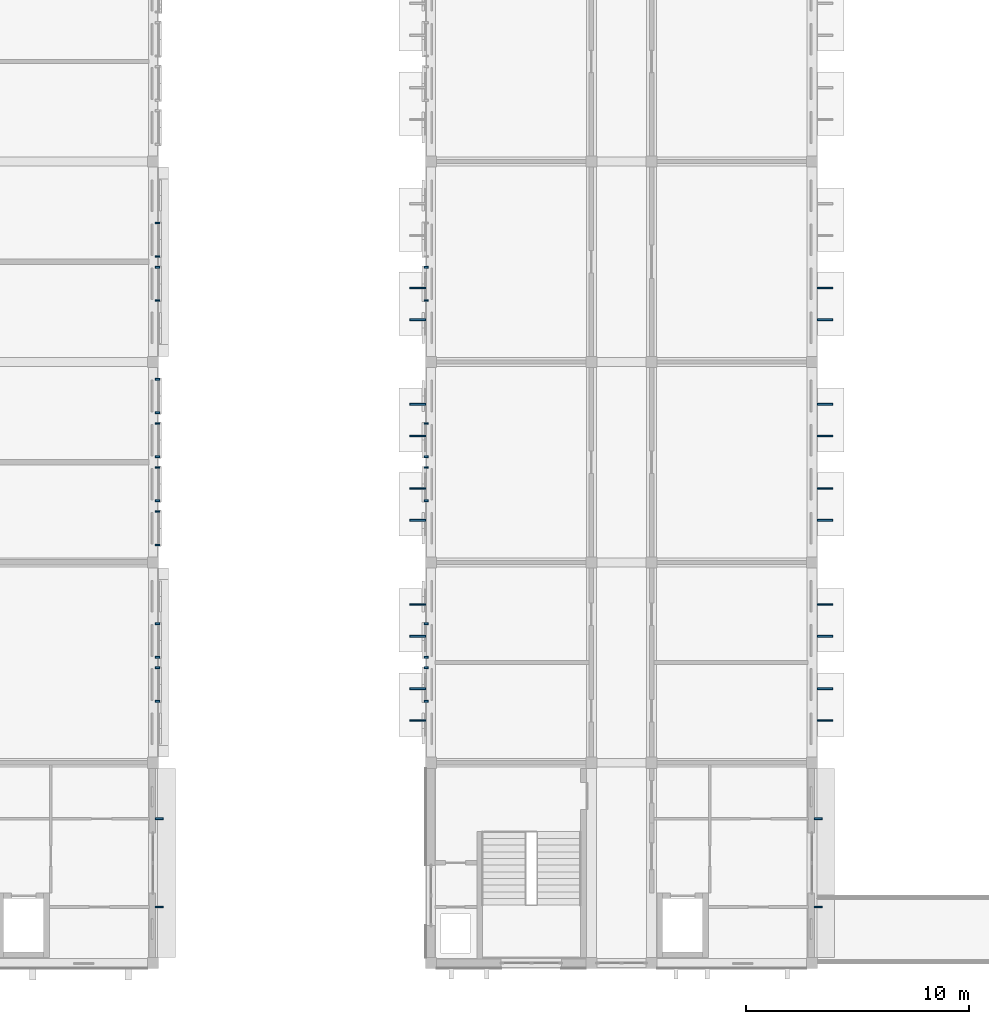
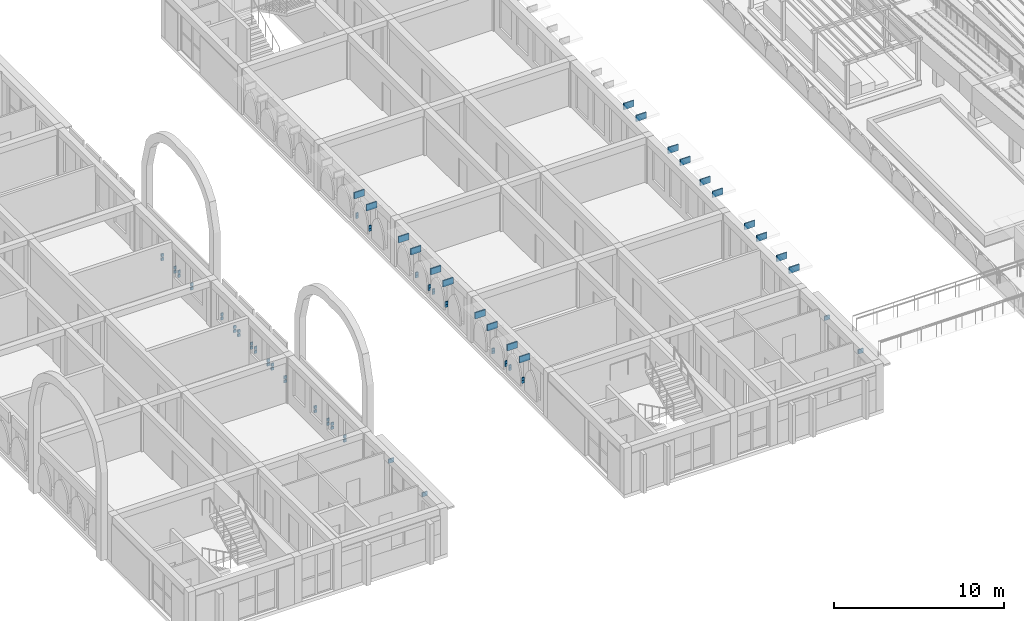
# One storey, part 50 of 65: 76 discrete accessories.
"""IFC4 building model written with IfcOpenShell, lengths in metres."""

from ifc_helpers import new_model, si_unit, direction, frame, origin, origin_2d, place, context, subcontext, project, spatial, rectangle, extrude, material, type_object, element, save


model = new_model("IFC4")

# Units and contexts
model_context = context("Model", 3, precision=1e-05, world=origin(), true_north=direction((0.0, 1.0)))
body_context = subcontext(model_context, "Body", "Model", "MODEL_VIEW")
ifc_project = project(units=[si_unit("LENGTHUNIT", "METRE"), si_unit("AREAUNIT", "SQUARE_METRE"), si_unit("VOLUMEUNIT", "CUBIC_METRE"), si_unit("PLANEANGLEUNIT", "RADIAN"), si_unit("MASSUNIT", "GRAM", prefix="KILO")], contexts=[model_context])

# Site, building, storey
site_placement = place(None, origin())
site = spatial("IfcSite", under=ifc_project, at=site_placement, CompositionType="ELEMENT")
building_placement = place(site_placement, origin())
building = spatial("IfcBuilding", under=site, at=building_placement, Name="Elbe Cascade School", CompositionType="ELEMENT")
storey_placement = place(building_placement, frame((0.0, 0.0, 11.699951171875)))
storey = spatial("IfcBuildingStorey", under=building, at=storey_placement, Name="L03", CompositionType="ELEMENT", Elevation=11.699951171875)

# Discrete accessories
ifc_material = material(Name="Steel S355J2, hot-dip galvanised", Category="steel")
discrete_accessory_type = type_object("IfcDiscreteAccessoryType", Name="Bars envelope Bracket, galvanised steel", PredefinedType="BRACKET", material=ifc_material)
for number, where, z_axis, x_axis, name in (
    (1, (86.39501953125, 8.52001953125, 2.43017578125), (0.0, 0.0, 1.0), (0.0, 1.0, 0.0), "Bracket AC7 eave.e.1.br1"),
    (2, (86.39501953125, 12.47998046875, 2.43017578125), (0.0, 0.0, 1.0), (0.0, 1.0, 0.0), "Bracket AC7 eave.e.1.br2"),
):
    element("IfcDiscreteAccessory", number, at=place(storey_placement, frame(where, z_axis=z_axis, x_axis=x_axis)), inside=storey, type_object=discrete_accessory_type, Name=name, PredefinedType="BRACKET", context=body_context, shape_type="SweptSolid", body=[
        extrude(rectangle(XDim=0.080078125, YDim=0.35009765625, at=origin_2d()), origin(), (0.0, 0.0, 1.0), 0.300048828125),
    ])
for number, where, z_axis, x_axis, name in (
    (3, (86.31005859375, 17.760009765625, 0.75), (0.0, 0.0, 1.0), (0.0, 1.0, 0.0), "Bracket AC7 jali.e.2.br2ll"),
    (4, (86.31005859375, 17.760009765625, 1.0400390625), (0.0, 0.0, 1.0), (0.0, 1.0, 0.0), "Bracket AC7 jali.e.2.br2lu"),
    (5, (86.31005859375, 19.260009765625, 0.75), (0.0, 0.0, 1.0), (0.0, 1.0, 0.0), "Bracket AC7 jali.e.2.br2rl"),
    (6, (86.31005859375, 19.260009765625, 1.0400390625), (0.0, 0.0, 1.0), (0.0, 1.0, 0.0), "Bracket AC7 jali.e.2.br2ru"),
    (7, (86.31005859375, 19.739990234375, 0.75), (0.0, 0.0, 1.0), (0.0, 1.0, 0.0), "Bracket AC7 jali.e.2.br3ll"),
    (8, (86.31005859375, 19.739990234375, 1.0400390625), (0.0, 0.0, 1.0), (0.0, 1.0, 0.0), "Bracket AC7 jali.e.2.br3lu"),
    (9, (86.31005859375, 21.239990234375, 0.75), (0.0, 0.0, 1.0), (0.0, 1.0, 0.0), "Bracket AC7 jali.e.2.br3rl"),
    (10, (86.31005859375, 21.239990234375, 1.0400390625), (0.0, 0.0, 1.0), (0.0, 1.0, 0.0), "Bracket AC7 jali.e.2.br3ru"),
    (11, (86.31005859375, 24.780029296875, 0.75), (0.0, 0.0, 1.0), (0.0, 1.0, 0.0), "Bracket AC7 jali.e.3.br1ll"),
    (12, (86.31005859375, 24.780029296875, 1.0400390625), (0.0, 0.0, 1.0), (0.0, 1.0, 0.0), "Bracket AC7 jali.e.3.br1lu"),
    (13, (86.31005859375, 26.280029296875, 0.75), (0.0, 0.0, 1.0), (0.0, 1.0, 0.0), "Bracket AC7 jali.e.3.br1rl"),
    (14, (86.31005859375, 26.280029296875, 1.0400390625), (0.0, 0.0, 1.0), (0.0, 1.0, 0.0), "Bracket AC7 jali.e.3.br1ru"),
    (15, (86.31005859375, 26.760009765625, 0.75), (0.0, 0.0, 1.0), (0.0, 1.0, 0.0), "Bracket AC7 jali.e.3.br2ll"),
    (16, (86.31005859375, 26.760009765625, 1.0400390625), (0.0, 0.0, 1.0), (0.0, 1.0, 0.0), "Bracket AC7 jali.e.3.br2lu"),
    (17, (86.31005859375, 28.260009765625, 0.75), (0.0, 0.0, 1.0), (0.0, 1.0, 0.0), "Bracket AC7 jali.e.3.br2rl"),
    (18, (86.31005859375, 28.260009765625, 1.0400390625), (0.0, 0.0, 1.0), (0.0, 1.0, 0.0), "Bracket AC7 jali.e.3.br2ru"),
    (19, (86.31005859375, 28.739990234375, 0.75), (0.0, 0.0, 1.0), (0.0, 1.0, 0.0), "Bracket AC7 jali.e.3.br3ll"),
    (20, (86.31005859375, 28.739990234375, 1.0400390625), (0.0, 0.0, 1.0), (0.0, 1.0, 0.0), "Bracket AC7 jali.e.3.br3lu"),
    (21, (86.31005859375, 30.239990234375, 0.75), (0.0, 0.0, 1.0), (0.0, 1.0, 0.0), "Bracket AC7 jali.e.3.br3rl"),
    (22, (86.31005859375, 30.239990234375, 1.0400390625), (0.0, 0.0, 1.0), (0.0, 1.0, 0.0), "Bracket AC7 jali.e.3.br3ru"),
    (23, (86.31005859375, 30.719970703125, 0.75), (0.0, 0.0, 1.0), (0.0, 1.0, 0.0), "Bracket AC7 jali.e.3.br4ll"),
    (24, (86.31005859375, 30.719970703125, 1.0400390625), (0.0, 0.0, 1.0), (0.0, 1.0, 0.0), "Bracket AC7 jali.e.3.br4lu"),
    (25, (86.31005859375, 32.219970703125, 0.75), (0.0, 0.0, 1.0), (0.0, 1.0, 0.0), "Bracket AC7 jali.e.3.br4rl"),
    (26, (86.31005859375, 32.219970703125, 1.0400390625), (0.0, 0.0, 1.0), (0.0, 1.0, 0.0), "Bracket AC7 jali.e.3.br4ru"),
    (27, (86.31005859375, 35.760009765625, 0.75), (0.0, 0.0, 1.0), (0.0, 1.0, 0.0), "Bracket AC7 jali.e.4.br2ll"),
    (28, (86.31005859375, 35.760009765625, 1.0400390625), (0.0, 0.0, 1.0), (0.0, 1.0, 0.0), "Bracket AC7 jali.e.4.br2lu"),
    (29, (86.31005859375, 37.260009765625, 0.75), (0.0, 0.0, 1.0), (0.0, 1.0, 0.0), "Bracket AC7 jali.e.4.br2rl"),
    (30, (86.31005859375, 37.260009765625, 1.0400390625), (0.0, 0.0, 1.0), (0.0, 1.0, 0.0), "Bracket AC7 jali.e.4.br2ru"),
    (31, (86.31005859375, 37.739990234375, 0.75), (0.0, 0.0, 1.0), (0.0, 1.0, 0.0), "Bracket AC7 jali.e.4.br3ll"),
    (32, (86.31005859375, 37.739990234375, 1.0400390625), (0.0, 0.0, 1.0), (0.0, 1.0, 0.0), "Bracket AC7 jali.e.4.br3lu"),
    (33, (86.31005859375, 39.239990234375, 0.75), (0.0, 0.0, 1.0), (0.0, 1.0, 0.0), "Bracket AC7 jali.e.4.br3rl"),
    (34, (86.31005859375, 39.239990234375, 1.0400390625), (0.0, 0.0, 1.0), (0.0, 1.0, 0.0), "Bracket AC7 jali.e.4.br3ru"),
    (35, (98.389892578125, 17.760009765625, 0.75), (0.0, 0.0, 1.0), (0.0, 1.0, 0.0), "Bracket AC7 jali.w.2.br2ll"),
    (36, (98.389892578125, 17.760009765625, 0.93994140625), (0.0, 0.0, 1.0), (0.0, 1.0, 0.0), "Bracket AC7 jali.w.2.br2lu"),
    (37, (98.389892578125, 19.260009765625, 0.75), (0.0, 0.0, 1.0), (0.0, 1.0, 0.0), "Bracket AC7 jali.w.2.br2rl"),
    (38, (98.389892578125, 19.260009765625, 0.93994140625), (0.0, 0.0, 1.0), (0.0, 1.0, 0.0), "Bracket AC7 jali.w.2.br2ru"),
    (39, (98.389892578125, 19.739990234375, 0.75), (0.0, 0.0, 1.0), (0.0, 1.0, 0.0), "Bracket AC7 jali.w.2.br3ll"),
    (40, (98.389892578125, 19.739990234375, 0.93994140625), (0.0, 0.0, 1.0), (0.0, 1.0, 0.0), "Bracket AC7 jali.w.2.br3lu"),
    (41, (98.389892578125, 21.239990234375, 0.75), (0.0, 0.0, 1.0), (0.0, 1.0, 0.0), "Bracket AC7 jali.w.2.br3rl"),
    (42, (98.389892578125, 21.239990234375, 0.93994140625), (0.0, 0.0, 1.0), (0.0, 1.0, 0.0), "Bracket AC7 jali.w.2.br3ru"),
    (43, (98.389892578125, 26.760009765625, 0.75), (0.0, 0.0, 1.0), (0.0, 1.0, 0.0), "Bracket AC7 jali.w.3.br2ll"),
    (44, (98.389892578125, 26.760009765625, 0.93994140625), (0.0, 0.0, 1.0), (0.0, 1.0, 0.0), "Bracket AC7 jali.w.3.br2lu"),
    (45, (98.389892578125, 28.260009765625, 0.75), (0.0, 0.0, 1.0), (0.0, 1.0, 0.0), "Bracket AC7 jali.w.3.br2rl"),
    (46, (98.389892578125, 28.260009765625, 0.93994140625), (0.0, 0.0, 1.0), (0.0, 1.0, 0.0), "Bracket AC7 jali.w.3.br2ru"),
    (47, (98.389892578125, 28.739990234375, 0.75), (0.0, 0.0, 1.0), (0.0, 1.0, 0.0), "Bracket AC7 jali.w.3.br3ll"),
    (48, (98.389892578125, 28.739990234375, 0.93994140625), (0.0, 0.0, 1.0), (0.0, 1.0, 0.0), "Bracket AC7 jali.w.3.br3lu"),
    (49, (98.389892578125, 30.239990234375, 0.75), (0.0, 0.0, 1.0), (0.0, 1.0, 0.0), "Bracket AC7 jali.w.3.br3rl"),
    (50, (98.389892578125, 30.239990234375, 0.93994140625), (0.0, 0.0, 1.0), (0.0, 1.0, 0.0), "Bracket AC7 jali.w.3.br3ru"),
    (51, (98.389892578125, 35.760009765625, 0.75), (0.0, 0.0, 1.0), (0.0, 1.0, 0.0), "Bracket AC7 jali.w.4.br2ll"),
    (52, (98.389892578125, 35.760009765625, 0.93994140625), (0.0, 0.0, 1.0), (0.0, 1.0, 0.0), "Bracket AC7 jali.w.4.br2lu"),
    (53, (98.389892578125, 37.260009765625, 0.75), (0.0, 0.0, 1.0), (0.0, 1.0, 0.0), "Bracket AC7 jali.w.4.br2rl"),
    (54, (98.389892578125, 37.260009765625, 0.93994140625), (0.0, 0.0, 1.0), (0.0, 1.0, 0.0), "Bracket AC7 jali.w.4.br2ru"),
):
    element("IfcDiscreteAccessory", number, at=place(storey_placement, frame(where, z_axis=z_axis, x_axis=x_axis)), inside=storey, type_object=discrete_accessory_type, Name=name, PredefinedType="BRACKET", context=body_context, shape_type="SweptSolid", body=[
        extrude(rectangle(XDim=0.080078125, YDim=0.179931640625, at=origin_2d()), origin(), (0.0, 0.0, 1.0), 0.199951171875),
    ])
for number, where, z_axis, x_axis, name in (
    (55, (115.9951171875, 8.52001953125, 2.330078125), (0.0, 0.0, 1.0), (0.0, 1.0, 0.0), "Bracket AC7 eave.e.1.br1"),
    (56, (115.9951171875, 12.47998046875, 2.330078125), (0.0, 0.0, 1.0), (0.0, 1.0, 0.0), "Bracket AC7 eave.e.1.br2"),
):
    element("IfcDiscreteAccessory", number, at=place(storey_placement, frame(where, z_axis=z_axis, x_axis=x_axis)), inside=storey, type_object=discrete_accessory_type, Name=name, PredefinedType="BRACKET", context=body_context, shape_type="SweptSolid", body=[
        extrude(rectangle(XDim=0.080078125, YDim=0.35009765625, at=origin_2d()), origin(), (0.0, 0.0, 1.0), 0.300048828125),
    ])
for number, where, z_axis, x_axis, name in (
    (57, (98.0, 16.893798828125, 2.97021484375), (0.0, 0.0, 1.0), (0.0, 1.0, 0.0), "Bracket AC7 chslab.w.1.1.br1"),
    (58, (98.0, 18.3212890625, 2.97021484375), (0.0, 0.0, 1.0), (0.0, 1.0, 0.0), "Bracket AC7 chslab.w.1.1.br2"),
    (59, (98.0, 20.6787109375, 2.97021484375), (0.0, 0.0, 1.0), (0.0, 1.0, 0.0), "Bracket AC7 chslab.w.1.2.br1"),
    (60, (98.0, 22.106201171875, 2.97021484375), (0.0, 0.0, 1.0), (0.0, 1.0, 0.0), "Bracket AC7 chslab.w.1.2.br2"),
    (61, (98.0, 25.893798828125, 2.97021484375), (0.0, 0.0, 1.0), (0.0, 1.0, 0.0), "Bracket AC7 chslab.w.2.1.br1"),
    (62, (98.0, 27.3212890625, 2.97021484375), (0.0, 0.0, 1.0), (0.0, 1.0, 0.0), "Bracket AC7 chslab.w.2.1.br2"),
    (63, (98.0, 29.6787109375, 2.97021484375), (0.0, 0.0, 1.0), (0.0, 1.0, 0.0), "Bracket AC7 chslab.w.2.2.br1"),
    (64, (98.0, 31.106201171875, 2.97021484375), (0.0, 0.0, 1.0), (0.0, 1.0, 0.0), "Bracket AC7 chslab.w.2.2.br2"),
    (65, (98.0, 34.893798828125, 2.97021484375), (0.0, 0.0, 1.0), (0.0, 1.0, 0.0), "Bracket AC7 chslab.w.3.1.br1"),
    (66, (98.0, 36.3212890625, 2.97021484375), (0.0, 0.0, 1.0), (0.0, 1.0, 0.0), "Bracket AC7 chslab.w.3.1.br2"),
    (67, (116.300048828125, 16.893798828125, 2.97021484375), (0.0, 0.0, 1.0), (0.0, 1.0, 0.0), "Bracket AC7 chslab.e.1.1.br1"),
    (68, (116.300048828125, 18.3212890625, 2.97021484375), (0.0, 0.0, 1.0), (0.0, 1.0, 0.0), "Bracket AC7 chslab.e.1.1.br2"),
    (69, (116.300048828125, 20.6787109375, 2.97021484375), (0.0, 0.0, 1.0), (0.0, 1.0, 0.0), "Bracket AC7 chslab.e.1.2.br1"),
    (70, (116.300048828125, 22.106201171875, 2.97021484375), (0.0, 0.0, 1.0), (0.0, 1.0, 0.0), "Bracket AC7 chslab.e.1.2.br2"),
    (71, (116.300048828125, 25.893798828125, 2.97021484375), (0.0, 0.0, 1.0), (0.0, 1.0, 0.0), "Bracket AC7 chslab.e.2.1.br1"),
    (72, (116.300048828125, 27.3212890625, 2.97021484375), (0.0, 0.0, 1.0), (0.0, 1.0, 0.0), "Bracket AC7 chslab.e.2.1.br2"),
    (73, (116.300048828125, 29.6787109375, 2.97021484375), (0.0, 0.0, 1.0), (0.0, 1.0, 0.0), "Bracket AC7 chslab.e.2.2.br1"),
    (74, (116.300048828125, 31.106201171875, 2.97021484375), (0.0, 0.0, 1.0), (0.0, 1.0, 0.0), "Bracket AC7 chslab.e.2.2.br2"),
    (75, (116.300048828125, 34.893798828125, 2.97021484375), (0.0, 0.0, 1.0), (0.0, 1.0, 0.0), "Bracket AC7 chslab.e.3.1.br1"),
    (76, (116.300048828125, 36.3212890625, 2.97021484375), (0.0, 0.0, 1.0), (0.0, 1.0, 0.0), "Bracket AC7 chslab.e.3.1.br2"),
):
    element("IfcDiscreteAccessory", number, at=place(storey_placement, frame(where, z_axis=z_axis, x_axis=x_axis)), inside=storey, type_object=discrete_accessory_type, Name=name, PredefinedType="BRACKET", context=body_context, shape_type="SweptSolid", body=[
        extrude(rectangle(XDim=0.080078125, YDim=0.699951171875, at=origin_2d()), origin(), (0.0, 0.0, 1.0), 0.449951171875),
    ])

save(model, "model.ifc")
